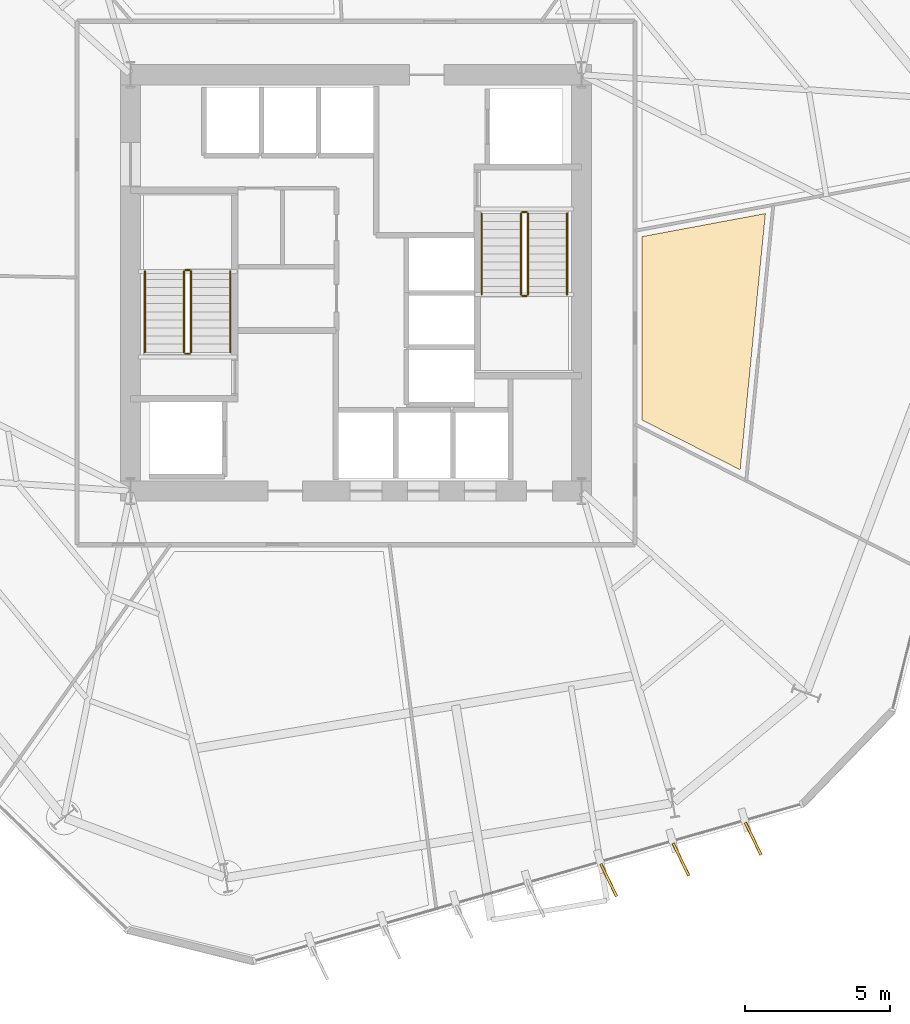
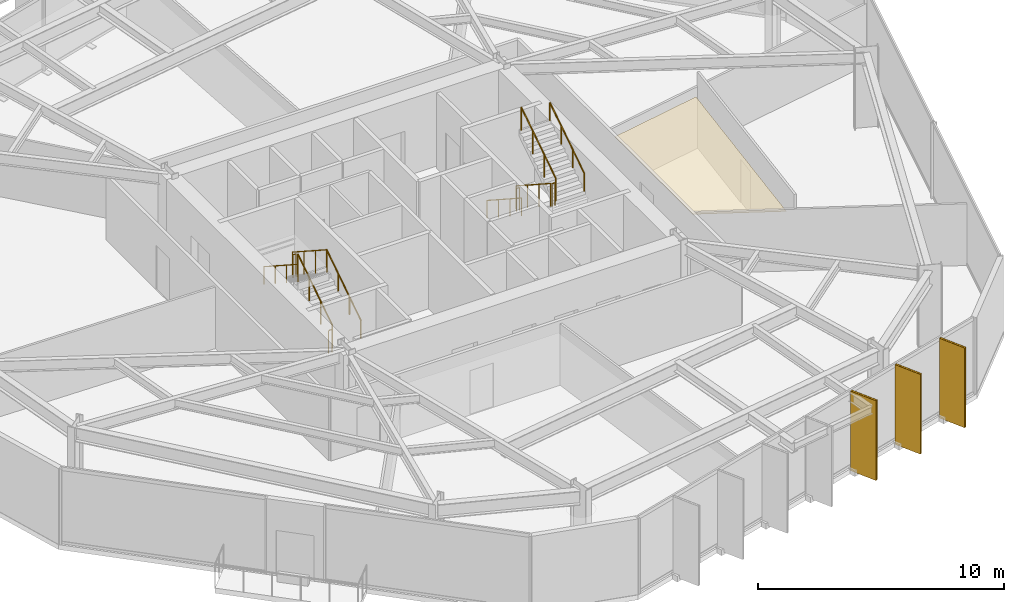
# One storey, part 9 of 10: 12 railings, 4 coverings, 3 shading devices.
"""IFC4 building model written with IfcOpenShell, lengths in metres."""

from ifc_helpers import new_model, si_unit, direction, frame, origin, origin_2d, place, context, subcontext, project, spatial, polyline, rectangle, circle, outline, extrude, material, layer, layer_set, type_object, element, save


model = new_model("IFC4")

# Units and contexts
model_context = context("Model", 3, precision=1e-05, world=origin(), true_north=direction((0.0, 1.0)))
body_context = subcontext(model_context, "Body", "Model", "MODEL_VIEW")
ifc_project = project(units=[si_unit("LENGTHUNIT", "METRE"), si_unit("AREAUNIT", "SQUARE_METRE"), si_unit("VOLUMEUNIT", "CUBIC_METRE"), si_unit("PLANEANGLEUNIT", "RADIAN"), si_unit("MASSUNIT", "GRAM", prefix="KILO")], contexts=[model_context])

# Site, building, storey
site_placement = place(None, origin())
site = spatial("IfcSite", under=ifc_project, at=site_placement, CompositionType="ELEMENT")
building_placement = place(site_placement, origin())
building = spatial("IfcBuilding", under=site, at=building_placement, Name="Kranzbogen Civic Tower", CompositionType="ELEMENT")
storey_placement = place(building_placement, frame((0.0, 0.0, 84.0)))
storey = spatial("IfcBuildingStorey", under=building, at=storey_placement, Name="L20", CompositionType="ELEMENT", Elevation=84.0)

# Coverings
ifc_material_1 = material(Name="Pale Anodised Aluminium", Category="aluminium")
ifc_layer_1 = layer(ifc_material_1, 0.02490234375, Name="Pale Anodised Aluminium")
ifc_layer_set_1 = layer_set([ifc_layer_1], Name="Pale Anodised Aluminium")
covering_type_1 = type_object("IfcCoveringType", Name="Anodised Aluminium Vertical Fin Cladding 25 mm", PredefinedType="CLADDING", material=ifc_layer_set_1)
for number, where, z_axis, x_axis, name in (
    (1, (33.739990234375, 4.343017578125, -0.139892578125), (0.0, 0.0, 1.0), (0.436220788263, -0.899839665655, 0.0), "L20 vertical fin pale-metal cladding F5-5"),
    (2, (36.239013671875, 5.06005859375, -0.139892578125), (0.0, 0.0, 1.0), (0.436220788263, -0.899839665655, 0.0), "L20 vertical fin pale-metal cladding F5-6"),
    (3, (38.738037109375, 5.77587890625, -0.139892578125), (0.0, 0.0, 1.0), (0.436220788263, -0.899839665655, 0.0), "L20 vertical fin pale-metal cladding F5-7"),
):
    element("IfcCovering", number, at=place(storey_placement, frame(where, z_axis=z_axis, x_axis=x_axis)), inside=storey, type_object=covering_type_1, Name=name, PredefinedType="CLADDING", context=body_context, shape_type="SweptSolid", body=[
        extrude(rectangle(XDim=1.25, YDim=0.10009765625, at=origin_2d()), origin(), (0.0, 0.0, 1.0), 3.9599609375),
    ])

# Shading devices
ifc_material_2 = material(Name="Anodised Bronze Aluminium", Category="aluminium")
shading_device_type = type_object("IfcShadingDeviceType", Name="Anodised Bronze Vertical Facade Fin 1250x80", PredefinedType="USERDEFINED", material=ifc_material_2)
for number, where, z_axis, x_axis, name in (
    (4, (33.739990234375, 4.343017578125, -0.139892578125), (0.0, 0.0, 1.0), (0.436220788263, -0.899839665655, 0.0), "L20 vertical exterior shading fin F5-5"),
    (5, (36.239013671875, 5.06005859375, -0.139892578125), (0.0, 0.0, 1.0), (0.436220788263, -0.899839665655, 0.0), "L20 vertical exterior shading fin F5-6"),
    (6, (38.738037109375, 5.77587890625, -0.139892578125), (0.0, 0.0, 1.0), (0.436220788263, -0.899839665655, 0.0), "L20 vertical exterior shading fin F5-7"),
):
    element("IfcShadingDevice", number, at=place(storey_placement, frame(where, z_axis=z_axis, x_axis=x_axis)), inside=storey, type_object=shading_device_type, Name=name, ObjectType="FIN", PredefinedType="USERDEFINED", context=body_context, shape_type="SweptSolid", body=[
        extrude(rectangle(XDim=1.25, YDim=0.080078125, at=origin_2d()), origin(), (0.0, 0.0, 1.0), 3.9599609375),
    ])

# Railings
ifc_material_3 = material(Name="Steel S355", Category="steel")
railing_type_1 = type_object("IfcRailingType", Name="Internal Stair and Void Steel Guardrail 1150", PredefinedType="GUARDRAIL", material=ifc_material_3)
railing_1_placement = place(storey_placement, frame((19.300048828125, 22.60009765625, 0.181884765625)))
element("IfcRailing", 7, at=railing_1_placement, inside=storey, type_object=railing_type_1, Name="L20 ST-T1 stair guard 1", PredefinedType="GUARDRAIL", context=body_context, shape_type="SweptSolid", body=[
    extrude(circle(Radius=0.02392578125, at=origin_2d()), frame((0.0, 0.0, 1.1259765625), z_axis=(0.0, 0.83868413941, 0.544618136222), x_axis=(-1.0, 0.0, 0.0)), (0.0, 0.0, 1.0), 3.33837890625),
    extrude(circle(Radius=0.02099609375, at=origin_2d()), origin(), (0.0, 0.0, 1.0), 1.101806640625),
    extrude(circle(Radius=0.02099609375, at=origin_2d()), frame((0.0, 0.933349609375, 0.60595703125)), (0.0, 0.0, 1.0), 1.101806640625),
    extrude(circle(Radius=0.02099609375, at=origin_2d()), frame((0.0, 1.866455078125, 1.212158203125)), (0.0, 0.0, 1.0), 1.101806640625),
    extrude(circle(Radius=0.02099609375, at=origin_2d()), frame((0.0, 2.7998046875, 1.818115234375)), (0.0, 0.0, 1.0), 1.101806640625),
])
railing_2_placement = place(storey_placement, frame((19.25, 25.449951171875, 2.0)))
element("IfcRailing", 8, at=railing_2_placement, inside=storey, type_object=railing_type_1, Name="L20 ST-T1 stair guard 2", PredefinedType="GUARDRAIL", context=body_context, shape_type="SweptSolid", body=[
    extrude(circle(Radius=0.02392578125, at=origin_2d()), frame((0.0, 0.0, 1.1259765625), z_axis=(-1.0, 0.0, 0.0), x_axis=(0.0, -1.0, 0.0)), (0.0, 0.0, 1.0), 0.14990234375),
    extrude(circle(Radius=0.02099609375, at=origin_2d()), origin(), (0.0, 0.0, 1.0), 1.101806640625),
    extrude(circle(Radius=0.02099609375, at=origin_2d()), frame((-0.14990234375, 0.0, 0.0)), (0.0, 0.0, 1.0), 1.101806640625),
])
railing_3_placement = place(storey_placement, frame((19.050048828125, 25.39990234375, 2.181884765625)))
element("IfcRailing", 9, at=railing_3_placement, inside=storey, type_object=railing_type_1, Name="L20 ST-T1 stair guard 3", PredefinedType="GUARDRAIL", context=body_context, shape_type="SweptSolid", body=[
    extrude(circle(Radius=0.02392578125, at=origin_2d()), frame((0.0, 0.0, 1.1259765625), z_axis=(0.0, -0.83868413941, 0.544618136222), x_axis=(1.0, 0.0, 0.0)), (0.0, 0.0, 1.0), 3.33837890625),
    extrude(circle(Radius=0.02099609375, at=origin_2d()), origin(), (0.0, 0.0, 1.0), 1.101806640625),
    extrude(circle(Radius=0.02099609375, at=origin_2d()), frame((0.0, -0.933349609375, 0.60595703125)), (0.0, 0.0, 1.0), 1.101806640625),
    extrude(circle(Radius=0.02099609375, at=origin_2d()), frame((0.0, -1.866455078125, 1.212158203125)), (0.0, 0.0, 1.0), 1.101806640625),
    extrude(circle(Radius=0.02099609375, at=origin_2d()), frame((0.0, -2.7998046875, 1.818115234375)), (0.0, 0.0, 1.0), 1.101806640625),
])
railing_4_placement = place(storey_placement, frame((19.25, 22.550048828125, 0.0)))
element("IfcRailing", 10, at=railing_4_placement, inside=storey, type_object=railing_type_1, Name="L20 ST-T1 stair guard 4", PredefinedType="GUARDRAIL", context=body_context, shape_type="SweptSolid", body=[
    extrude(circle(Radius=0.02392578125, at=origin_2d()), frame((0.0, 0.0, 1.1259765625), z_axis=(-1.0, 0.0, 0.0), x_axis=(0.0, -1.0, 0.0)), (0.0, 0.0, 1.0), 0.14990234375),
    extrude(circle(Radius=0.02099609375, at=origin_2d()), origin(), (0.0, 0.0, 1.0), 1.101806640625),
    extrude(circle(Radius=0.02099609375, at=origin_2d()), frame((-0.14990234375, 0.0, 0.0)), (0.0, 0.0, 1.0), 1.101806640625),
])
railing_5_placement = place(storey_placement, frame((30.699951171875, 27.39990234375, 0.181884765625)))
element("IfcRailing", 11, at=railing_5_placement, inside=storey, type_object=railing_type_1, Name="L20 ST-T2 stair guard 1", PredefinedType="GUARDRAIL", context=body_context, shape_type="SweptSolid", body=[
    extrude(circle(Radius=0.02392578125, at=origin_2d()), frame((0.0, 0.0, 1.1259765625), z_axis=(0.0, -0.83868413941, 0.544618136222), x_axis=(1.0, 0.0, 0.0)), (0.0, 0.0, 1.0), 3.33837890625),
    extrude(circle(Radius=0.02099609375, at=origin_2d()), origin(), (0.0, 0.0, 1.0), 1.101806640625),
    extrude(circle(Radius=0.02099609375, at=origin_2d()), frame((0.0, -0.933349609375, 0.60595703125)), (0.0, 0.0, 1.0), 1.101806640625),
    extrude(circle(Radius=0.02099609375, at=origin_2d()), frame((0.0, -1.866455078125, 1.212158203125)), (0.0, 0.0, 1.0), 1.101806640625),
    extrude(circle(Radius=0.02099609375, at=origin_2d()), frame((0.0, -2.7998046875, 1.818115234375)), (0.0, 0.0, 1.0), 1.101806640625),
])
railing_6_placement = place(storey_placement, frame((30.75, 24.550048828125, 2.0)))
element("IfcRailing", 12, at=railing_6_placement, inside=storey, type_object=railing_type_1, Name="L20 ST-T2 stair guard 2", PredefinedType="GUARDRAIL", context=body_context, shape_type="SweptSolid", body=[
    extrude(circle(Radius=0.02392578125, at=origin_2d()), frame((0.0, 0.0, 1.1259765625), z_axis=(1.0, 0.0, 0.0), x_axis=(0.0, 1.0, 0.0)), (0.0, 0.0, 1.0), 0.14990234375),
    extrude(circle(Radius=0.02099609375, at=origin_2d()), origin(), (0.0, 0.0, 1.0), 1.101806640625),
    extrude(circle(Radius=0.02099609375, at=origin_2d()), frame((0.14990234375, 0.0, 0.0)), (0.0, 0.0, 1.0), 1.101806640625),
])
railing_7_placement = place(storey_placement, frame((30.949951171875, 24.60009765625, 2.181884765625)))
element("IfcRailing", 13, at=railing_7_placement, inside=storey, type_object=railing_type_1, Name="L20 ST-T2 stair guard 3", PredefinedType="GUARDRAIL", context=body_context, shape_type="SweptSolid", body=[
    extrude(circle(Radius=0.02392578125, at=origin_2d()), frame((0.0, 0.0, 1.1259765625), z_axis=(0.0, 0.83868413941, 0.544618136222), x_axis=(-1.0, 0.0, 0.0)), (0.0, 0.0, 1.0), 3.33837890625),
    extrude(circle(Radius=0.02099609375, at=origin_2d()), origin(), (0.0, 0.0, 1.0), 1.101806640625),
    extrude(circle(Radius=0.02099609375, at=origin_2d()), frame((0.0, 0.933349609375, 0.60595703125)), (0.0, 0.0, 1.0), 1.101806640625),
    extrude(circle(Radius=0.02099609375, at=origin_2d()), frame((0.0, 1.866455078125, 1.212158203125)), (0.0, 0.0, 1.0), 1.101806640625),
    extrude(circle(Radius=0.02099609375, at=origin_2d()), frame((0.0, 2.7998046875, 1.818115234375)), (0.0, 0.0, 1.0), 1.101806640625),
])
railing_8_placement = place(storey_placement, frame((30.75, 27.449951171875, 0.0)))
element("IfcRailing", 14, at=railing_8_placement, inside=storey, type_object=railing_type_1, Name="L20 ST-T2 stair guard 4", PredefinedType="GUARDRAIL", context=body_context, shape_type="SweptSolid", body=[
    extrude(circle(Radius=0.02392578125, at=origin_2d()), frame((0.0, 0.0, 1.1259765625), z_axis=(1.0, 0.0, 0.0), x_axis=(0.0, 1.0, 0.0)), (0.0, 0.0, 1.0), 0.14990234375),
    extrude(circle(Radius=0.02099609375, at=origin_2d()), origin(), (0.0, 0.0, 1.0), 1.101806640625),
    extrude(circle(Radius=0.02099609375, at=origin_2d()), frame((0.14990234375, 0.0, 0.0)), (0.0, 0.0, 1.0), 1.101806640625),
])

# Covering
ifc_material_4 = material(Name="Perforated Acoustic Gypsum Ceiling")
ifc_layer_2 = layer(ifc_material_4, 0.02490234375, Name="Perforated Acoustic Gypsum Ceiling")
ifc_layer_set_2 = layer_set([ifc_layer_2], Name="Perforated Acoustic Gypsum Ceiling")
covering_type_2 = type_object("IfcCoveringType", Name="Perforated Acoustic Mineral Ceiling Tile 25 mm", PredefinedType="CEILING", material=ifc_layer_set_2)
covering_placement = place(storey_placement, frame((0.0, 0.0, 2.75)))
element("IfcCovering", 15, at=covering_placement, inside=storey, type_object=covering_type_2, Name="L20 Operations Security Control Room acoustic ceiling", PredefinedType="CEILING", context=body_context, shape_type="SweptSolid", body=[
    extrude(outline(polyline([(34.89501953125, 26.60107421875), (39.157958984375, 27.39794921875), (38.285888671875, 18.5380859375), (34.89501953125, 20.257080078125), (34.89501953125, 26.60107421875)])), origin(), (0.0, 0.0, 1.0), 0.02490234375),
])

# Railings
railing_type_2 = type_object("IfcRailingType", Name="Tubular Stainless Stair Wall Handrail 900", PredefinedType="HANDRAIL", material=ifc_material_1)
railing_9_placement = place(storey_placement, frame((20.64990234375, 22.60009765625, 0.181884765625)))
element("IfcRailing", 16, at=railing_9_placement, inside=storey, type_object=railing_type_2, Name="L20 ST-T1 stair handrail 1", PredefinedType="HANDRAIL", context=body_context, shape_type="SweptSolid", body=[
    extrude(circle(Radius=0.02392578125, at=origin_2d()), frame((0.0, 0.0, 0.8759765625), z_axis=(0.0, 0.83868413941, 0.544618136222), x_axis=(-1.0, 0.0, 0.0)), (0.0, 0.0, 1.0), 3.33837890625),
    extrude(circle(Radius=0.02099609375, at=origin_2d()), origin(), (0.0, 0.0, 1.0), 0.851806640625),
    extrude(circle(Radius=0.02099609375, at=origin_2d()), frame((0.0, 0.933349609375, 0.60595703125)), (0.0, 0.0, 1.0), 0.851806640625),
    extrude(circle(Radius=0.02099609375, at=origin_2d()), frame((0.0, 1.866455078125, 1.212158203125)), (0.0, 0.0, 1.0), 0.851806640625),
    extrude(circle(Radius=0.02099609375, at=origin_2d()), frame((0.0, 2.7998046875, 1.818115234375)), (0.0, 0.0, 1.0), 0.851806640625),
])
for number, where, name in (
    (17, (17.699951171875, 25.39990234375, 2.181884765625), "L20 ST-T1 stair handrail 2"),
    (18, (29.35009765625, 27.39990234375, 0.181884765625), "L20 ST-T2 stair handrail 1"),
):
    element("IfcRailing", number, at=place(storey_placement, frame(where)), inside=storey, type_object=railing_type_2, Name=name, PredefinedType="HANDRAIL", context=body_context, shape_type="SweptSolid", body=[
        extrude(circle(Radius=0.02392578125, at=origin_2d()), frame((0.0, 0.0, 0.8759765625), z_axis=(0.0, -0.83868413941, 0.544618136222), x_axis=(1.0, 0.0, 0.0)), (0.0, 0.0, 1.0), 3.33837890625),
        extrude(circle(Radius=0.02099609375, at=origin_2d()), origin(), (0.0, 0.0, 1.0), 0.851806640625),
        extrude(circle(Radius=0.02099609375, at=origin_2d()), frame((0.0, -0.933349609375, 0.60595703125)), (0.0, 0.0, 1.0), 0.851806640625),
        extrude(circle(Radius=0.02099609375, at=origin_2d()), frame((0.0, -1.866455078125, 1.212158203125)), (0.0, 0.0, 1.0), 0.851806640625),
        extrude(circle(Radius=0.02099609375, at=origin_2d()), frame((0.0, -2.7998046875, 1.818115234375)), (0.0, 0.0, 1.0), 0.851806640625),
    ])
railing_10_placement = place(storey_placement, frame((32.300048828125, 24.60009765625, 2.181884765625)))
element("IfcRailing", 19, at=railing_10_placement, inside=storey, type_object=railing_type_2, Name="L20 ST-T2 stair handrail 2", PredefinedType="HANDRAIL", context=body_context, shape_type="SweptSolid", body=[
    extrude(circle(Radius=0.02392578125, at=origin_2d()), frame((0.0, 0.0, 0.8759765625), z_axis=(0.0, 0.83868413941, 0.544618136222), x_axis=(-1.0, 0.0, 0.0)), (0.0, 0.0, 1.0), 3.33837890625),
    extrude(circle(Radius=0.02099609375, at=origin_2d()), origin(), (0.0, 0.0, 1.0), 0.851806640625),
    extrude(circle(Radius=0.02099609375, at=origin_2d()), frame((0.0, 0.933349609375, 0.60595703125)), (0.0, 0.0, 1.0), 0.851806640625),
    extrude(circle(Radius=0.02099609375, at=origin_2d()), frame((0.0, 1.866455078125, 1.212158203125)), (0.0, 0.0, 1.0), 0.851806640625),
    extrude(circle(Radius=0.02099609375, at=origin_2d()), frame((0.0, 2.7998046875, 1.818115234375)), (0.0, 0.0, 1.0), 0.851806640625),
])

save(model, "model.ifc")
